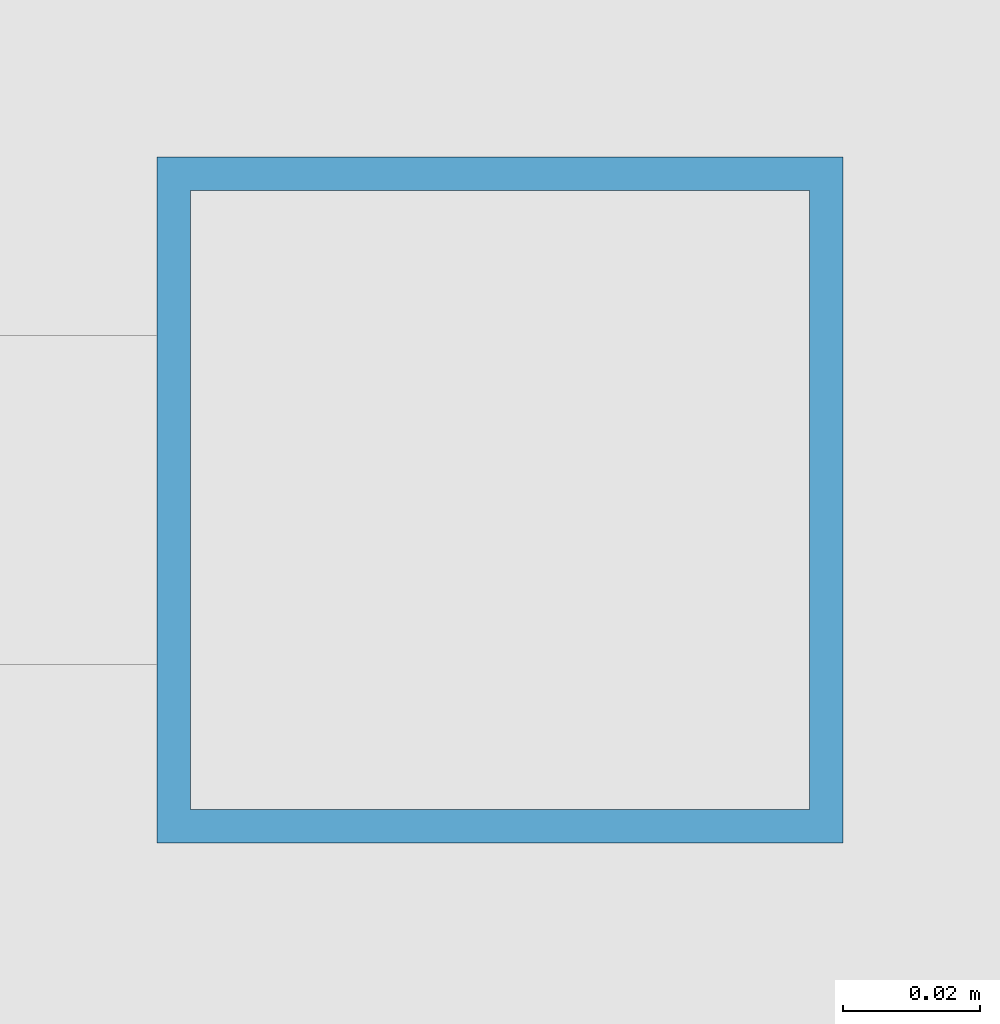
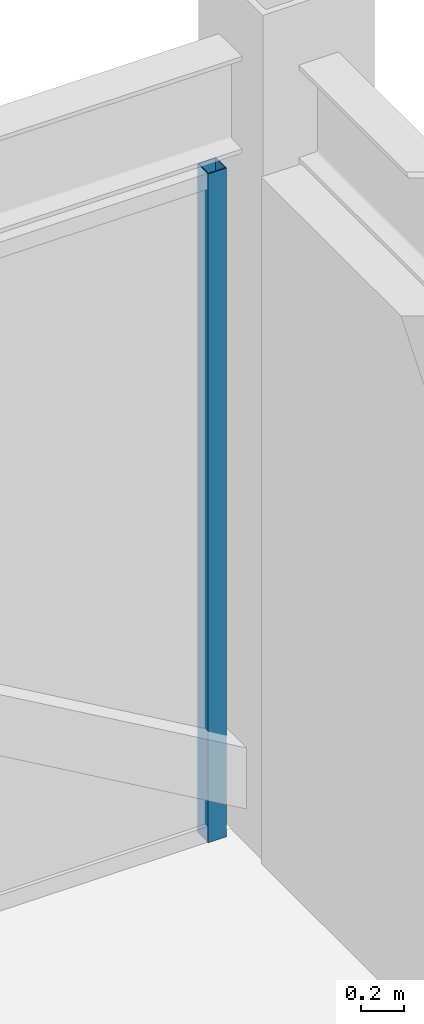
# One storey, part 22 of 27: 1 member, 1 element without a shape of its own.
"""IFC4 building model written with IfcOpenShell, lengths in metres."""

from ifc_helpers import new_model, si_unit, direction, frame, origin, origin_2d, place, context, subcontext, project, spatial, hollow_rectangle, extrude, source, transform, mapped, material, material_profile, profile_set, type_object, element, aggregate, save


model = new_model("IFC4")

# Units and contexts
model_context = context("Model", 3, precision=1e-05, world=origin(), true_north=direction((0.0, 1.0)))
body_context = subcontext(model_context, "Body", "Model", "MODEL_VIEW")
ifc_project = project(units=[si_unit("LENGTHUNIT", "METRE"), si_unit("AREAUNIT", "SQUARE_METRE"), si_unit("VOLUMEUNIT", "CUBIC_METRE"), si_unit("PLANEANGLEUNIT", "RADIAN"), si_unit("MASSUNIT", "GRAM", prefix="KILO")], contexts=[model_context])

# Site, building, storey
site_placement = place(None, origin())
site = spatial("IfcSite", under=ifc_project, at=site_placement, CompositionType="ELEMENT")
building_placement = place(site_placement, origin())
building = spatial("IfcBuilding", under=site, at=building_placement, Name="Khorayat Bourse Tower", CompositionType="ELEMENT")
storey_placement = place(building_placement, frame((0.0, 0.0, 389.89990234375)))
storey = spatial("IfcBuildingStorey", under=building, at=storey_placement, Name="L92", CompositionType="ELEMENT", Elevation=389.89990234375)

# Curtain wall, member
ifc_material = material(Name="Aluminium EN AW-6063 T6", Category="aluminium")
curtain_wall_type = type_object("IfcCurtainWallType", Name="CW-SYS-07", PredefinedType="NOTDEFINED", material=ifc_material)
curtain_wall_placement = place(storey_placement, origin())
curtain_wall = element("IfcCurtainWall", 1, at=curtain_wall_placement, inside=storey, type_object=curtain_wall_type, Name="L92 Curtain Wall CW-L92-N1", PredefinedType="NOTDEFINED")
ifc_material_profile = material_profile(ifc_material, hollow_rectangle(XDim=0.10009765625, YDim=0.10009765625, WallThickness=0.0048828125, at=origin_2d()), Name="ALU 100x100x5")
ifc_profile_set = profile_set([ifc_material_profile], Name="Aluminium EN AW-6063 T6")
member_type = type_object("IfcMemberType", Name="CWM-LANTERN-100", PredefinedType="MULLION", material=ifc_profile_set)
shared_shape = source(origin(), body_context, "Body", "SweptSolid", [
    extrude(hollow_rectangle(XDim=0.10009765625, YDim=0.10009765625, WallThickness=0.0048828125, at=origin_2d()), origin(), (0.0, 0.0, 1.0), 3.800048828125),
])
member_placement = place(storey_placement, frame((17.60009765625, 24.0, 0.0), z_axis=(0.0, 0.0, 1.0), x_axis=(0.0, 1.0, 0.0)))
member = element("IfcMember", 2, at=member_placement, type_object=member_type, Name="CW-L92-N1 Vertical Mullion 3", PredefinedType="MULLION", context=body_context, shape_type="MappedRepresentation", body=[
    mapped(shared_shape, transform((0.0, 0.0, 0.0), scale=1.0)),
])
aggregate(curtain_wall, [member])

save(model, "model.ifc")
